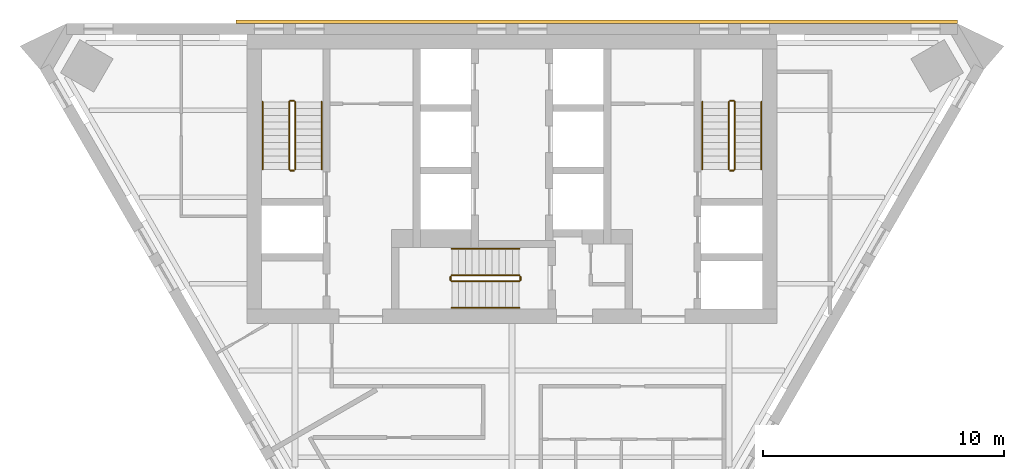
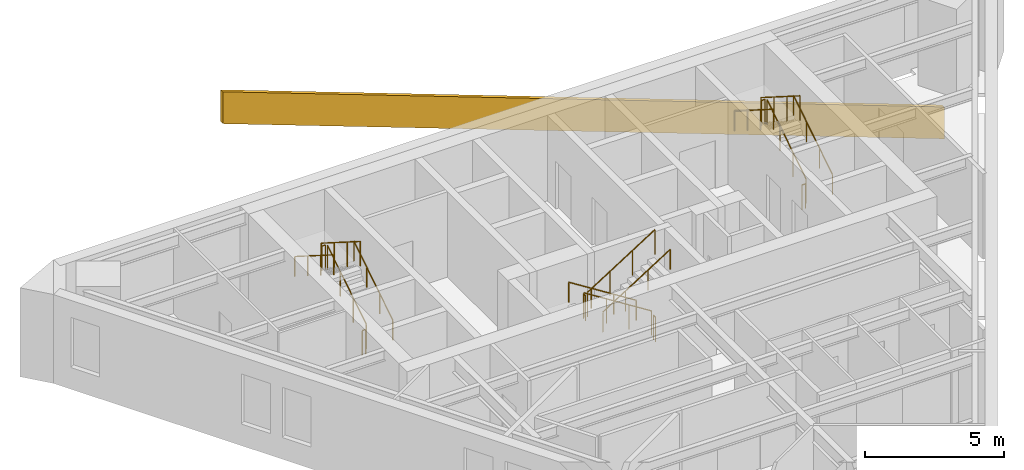
# One storey, part 6 of 6: 18 railings, 1 covering.
"""IFC4 building model written with IfcOpenShell, lengths in metres."""

from ifc_helpers import new_model, si_unit, direction, frame, origin, origin_2d, place, context, subcontext, project, spatial, polyline, circle, outline, extrude, material, layer, layer_set, type_object, element, save


model = new_model("IFC4")

# Units and contexts
model_context = context("Model", 3, precision=1e-05, world=origin(), true_north=direction((0.0, 1.0)))
body_context = subcontext(model_context, "Body", "Model", "MODEL_VIEW")
ifc_project = project(units=[si_unit("LENGTHUNIT", "METRE"), si_unit("AREAUNIT", "SQUARE_METRE"), si_unit("VOLUMEUNIT", "CUBIC_METRE"), si_unit("PLANEANGLEUNIT", "RADIAN"), si_unit("MASSUNIT", "GRAM", prefix="KILO")], contexts=[model_context])

# Site, building, storey
site_placement = place(None, origin())
site = spatial("IfcSite", under=ifc_project, at=site_placement, CompositionType="ELEMENT")
building_placement = place(site_placement, origin())
building = spatial("IfcBuilding", under=site, at=building_placement, Name="Aloe Facet Convention Tower", CompositionType="ELEMENT")
storey_placement = place(building_placement, frame((0.0, 0.0, 242.60009765625)))
storey = spatial("IfcBuildingStorey", under=building, at=storey_placement, Name="L59", CompositionType="ELEMENT", Elevation=242.60009765625)

# Railings
ifc_material_1 = material(Name="Steel S355 balustrade", Category="steel")
railing_type_1 = type_object("IfcRailingType", Name="CR-RL-GUARD", PredefinedType="GUARDRAIL", material=ifc_material_1)
railing_1_placement = place(storey_placement, frame((71.0, 128.949951171875, 0.17724609375)))
element("IfcRailing", 1, at=railing_1_placement, inside=storey, type_object=railing_type_1, Name="L59 ST1 stair guard 1", PredefinedType="GUARDRAIL", context=body_context, shape_type="SweptSolid", body=[
    extrude(circle(Radius=0.02392578125, at=origin_2d()), frame((0.0, 0.0, 1.076171875), z_axis=(0.0, 0.844908973607, 0.534910110503), x_axis=(-1.0, 0.0, 0.0)), (0.0, 0.0, 1.0), 3.31396484375),
    extrude(circle(Radius=0.02099609375, at=origin_2d()), origin(), (0.0, 0.0, 1.0), 1.052001953125),
    extrude(circle(Radius=0.02099609375, at=origin_2d()), frame((0.0, 0.933349609375, 0.5908203125)), (0.0, 0.0, 1.0), 1.052001953125),
    extrude(circle(Radius=0.02099609375, at=origin_2d()), frame((0.0, 1.86669921875, 1.181884765625)), (0.0, 0.0, 1.0), 1.052001953125),
    extrude(circle(Radius=0.02099609375, at=origin_2d()), frame((0.0, 2.800048828125, 1.772705078125)), (0.0, 0.0, 1.0), 1.052001953125),
])
railing_2_placement = place(storey_placement, frame((70.949951171875, 131.800048828125, 1.949951171875)))
element("IfcRailing", 2, at=railing_2_placement, inside=storey, type_object=railing_type_1, Name="L59 ST1 stair guard 2", PredefinedType="GUARDRAIL", context=body_context, shape_type="SweptSolid", body=[
    extrude(circle(Radius=0.02392578125, at=origin_2d()), frame((0.0, 0.0, 1.076171875), z_axis=(-1.0, 0.0, 0.0), x_axis=(0.0, -1.0, 0.0)), (0.0, 0.0, 1.0), 0.14990234375),
    extrude(circle(Radius=0.02099609375, at=origin_2d()), origin(), (0.0, 0.0, 1.0), 1.052001953125),
    extrude(circle(Radius=0.02099609375, at=origin_2d()), frame((-0.14990234375, 0.0, 0.0)), (0.0, 0.0, 1.0), 1.052001953125),
])
railing_3_placement = place(storey_placement, frame((70.75, 131.75, 2.127197265625)))
element("IfcRailing", 3, at=railing_3_placement, inside=storey, type_object=railing_type_1, Name="L59 ST1 stair guard 3", PredefinedType="GUARDRAIL", context=body_context, shape_type="SweptSolid", body=[
    extrude(circle(Radius=0.02392578125, at=origin_2d()), frame((0.0, 0.0, 1.076171875), z_axis=(0.0, -0.844908973607, 0.534910110503), x_axis=(1.0, 0.0, 0.0)), (0.0, 0.0, 1.0), 3.31396484375),
    extrude(circle(Radius=0.02099609375, at=origin_2d()), origin(), (0.0, 0.0, 1.0), 1.052001953125),
    extrude(circle(Radius=0.02099609375, at=origin_2d()), frame((0.0, -0.933349609375, 0.5908203125)), (0.0, 0.0, 1.0), 1.052001953125),
    extrude(circle(Radius=0.02099609375, at=origin_2d()), frame((0.0, -1.86669921875, 1.181884765625)), (0.0, 0.0, 1.0), 1.052001953125),
    extrude(circle(Radius=0.02099609375, at=origin_2d()), frame((0.0, -2.800048828125, 1.772705078125)), (0.0, 0.0, 1.0), 1.052001953125),
])
railing_4_placement = place(storey_placement, frame((70.949951171875, 128.89990234375, 0.0)))
element("IfcRailing", 4, at=railing_4_placement, inside=storey, type_object=railing_type_1, Name="L59 ST1 stair guard 4", PredefinedType="GUARDRAIL", context=body_context, shape_type="SweptSolid", body=[
    extrude(circle(Radius=0.02392578125, at=origin_2d()), frame((0.0, 0.0, 1.076171875), z_axis=(-1.0, 0.0, 0.0), x_axis=(0.0, -1.0, 0.0)), (0.0, 0.0, 1.0), 0.14990234375),
    extrude(circle(Radius=0.02099609375, at=origin_2d()), origin(), (0.0, 0.0, 1.0), 1.052001953125),
    extrude(circle(Radius=0.02099609375, at=origin_2d()), frame((-0.14990234375, 0.0, 0.0)), (0.0, 0.0, 1.0), 1.052001953125),
])
railing_5_placement = place(storey_placement, frame((89.25, 128.949951171875, 0.17724609375)))
element("IfcRailing", 5, at=railing_5_placement, inside=storey, type_object=railing_type_1, Name="L59 ST2 stair guard 1", PredefinedType="GUARDRAIL", context=body_context, shape_type="SweptSolid", body=[
    extrude(circle(Radius=0.02392578125, at=origin_2d()), frame((0.0, 0.0, 1.076171875), z_axis=(0.0, 0.844908973607, 0.534910110503), x_axis=(-1.0, 0.0, 0.0)), (0.0, 0.0, 1.0), 3.31396484375),
    extrude(circle(Radius=0.02099609375, at=origin_2d()), origin(), (0.0, 0.0, 1.0), 1.052001953125),
    extrude(circle(Radius=0.02099609375, at=origin_2d()), frame((0.0, 0.933349609375, 0.5908203125)), (0.0, 0.0, 1.0), 1.052001953125),
    extrude(circle(Radius=0.02099609375, at=origin_2d()), frame((0.0, 1.86669921875, 1.181884765625)), (0.0, 0.0, 1.0), 1.052001953125),
    extrude(circle(Radius=0.02099609375, at=origin_2d()), frame((0.0, 2.800048828125, 1.772705078125)), (0.0, 0.0, 1.0), 1.052001953125),
])
railing_6_placement = place(storey_placement, frame((89.199951171875, 131.800048828125, 1.949951171875)))
element("IfcRailing", 6, at=railing_6_placement, inside=storey, type_object=railing_type_1, Name="L59 ST2 stair guard 2", PredefinedType="GUARDRAIL", context=body_context, shape_type="SweptSolid", body=[
    extrude(circle(Radius=0.02392578125, at=origin_2d()), frame((0.0, 0.0, 1.076171875), z_axis=(-1.0, 0.0, 0.0), x_axis=(0.0, -1.0, 0.0)), (0.0, 0.0, 1.0), 0.14990234375),
    extrude(circle(Radius=0.02099609375, at=origin_2d()), origin(), (0.0, 0.0, 1.0), 1.052001953125),
    extrude(circle(Radius=0.02099609375, at=origin_2d()), frame((-0.14990234375, 0.0, 0.0)), (0.0, 0.0, 1.0), 1.052001953125),
])
railing_7_placement = place(storey_placement, frame((89.0, 131.75, 2.127197265625)))
element("IfcRailing", 7, at=railing_7_placement, inside=storey, type_object=railing_type_1, Name="L59 ST2 stair guard 3", PredefinedType="GUARDRAIL", context=body_context, shape_type="SweptSolid", body=[
    extrude(circle(Radius=0.02392578125, at=origin_2d()), frame((0.0, 0.0, 1.076171875), z_axis=(0.0, -0.844908973607, 0.534910110503), x_axis=(1.0, 0.0, 0.0)), (0.0, 0.0, 1.0), 3.31396484375),
    extrude(circle(Radius=0.02099609375, at=origin_2d()), origin(), (0.0, 0.0, 1.0), 1.052001953125),
    extrude(circle(Radius=0.02099609375, at=origin_2d()), frame((0.0, -0.933349609375, 0.5908203125)), (0.0, 0.0, 1.0), 1.052001953125),
    extrude(circle(Radius=0.02099609375, at=origin_2d()), frame((0.0, -1.86669921875, 1.181884765625)), (0.0, 0.0, 1.0), 1.052001953125),
    extrude(circle(Radius=0.02099609375, at=origin_2d()), frame((0.0, -2.800048828125, 1.772705078125)), (0.0, 0.0, 1.0), 1.052001953125),
])
railing_8_placement = place(storey_placement, frame((89.199951171875, 128.89990234375, 0.0)))
element("IfcRailing", 8, at=railing_8_placement, inside=storey, type_object=railing_type_1, Name="L59 ST2 stair guard 4", PredefinedType="GUARDRAIL", context=body_context, shape_type="SweptSolid", body=[
    extrude(circle(Radius=0.02392578125, at=origin_2d()), frame((0.0, 0.0, 1.076171875), z_axis=(-1.0, 0.0, 0.0), x_axis=(0.0, -1.0, 0.0)), (0.0, 0.0, 1.0), 0.14990234375),
    extrude(circle(Radius=0.02099609375, at=origin_2d()), origin(), (0.0, 0.0, 1.0), 1.052001953125),
    extrude(circle(Radius=0.02099609375, at=origin_2d()), frame((-0.14990234375, 0.0, 0.0)), (0.0, 0.0, 1.0), 1.052001953125),
])
railing_9_placement = place(storey_placement, frame((80.300048828125, 124.550048828125, 0.17724609375)))
element("IfcRailing", 9, at=railing_9_placement, inside=storey, type_object=railing_type_1, Name="L59 ST3 stair guard 1", PredefinedType="GUARDRAIL", context=body_context, shape_type="SweptSolid", body=[
    extrude(circle(Radius=0.02392578125, at=origin_2d()), frame((0.0, 0.0, 1.076171875), z_axis=(-0.844908973607, 0.0, 0.534910110503), x_axis=(0.0, -1.0, 0.0)), (0.0, 0.0, 1.0), 3.31396484375),
    extrude(circle(Radius=0.02099609375, at=origin_2d()), origin(), (0.0, 0.0, 1.0), 1.052001953125),
    extrude(circle(Radius=0.02099609375, at=origin_2d()), frame((-0.933349609375, 0.0, 0.5908203125)), (0.0, 0.0, 1.0), 1.052001953125),
    extrude(circle(Radius=0.02099609375, at=origin_2d()), frame((-1.86669921875, 0.0, 1.181884765625)), (0.0, 0.0, 1.0), 1.052001953125),
    extrude(circle(Radius=0.02099609375, at=origin_2d()), frame((-2.800048828125, 0.0, 1.772705078125)), (0.0, 0.0, 1.0), 1.052001953125),
])
railing_10_placement = place(storey_placement, frame((77.449951171875, 124.5, 1.949951171875)))
element("IfcRailing", 10, at=railing_10_placement, inside=storey, type_object=railing_type_1, Name="L59 ST3 stair guard 2", PredefinedType="GUARDRAIL", context=body_context, shape_type="SweptSolid", body=[
    extrude(circle(Radius=0.02392578125, at=origin_2d()), frame((0.0, 0.0, 1.076171875), z_axis=(0.0, -1.0, 0.0), x_axis=(1.0, 0.0, 0.0)), (0.0, 0.0, 1.0), 0.14990234375),
    extrude(circle(Radius=0.02099609375, at=origin_2d()), origin(), (0.0, 0.0, 1.0), 1.052001953125),
    extrude(circle(Radius=0.02099609375, at=origin_2d()), frame((0.0, -0.14990234375, 0.0)), (0.0, 0.0, 1.0), 1.052001953125),
])
railing_11_placement = place(storey_placement, frame((77.5, 124.300048828125, 2.127197265625)))
element("IfcRailing", 11, at=railing_11_placement, inside=storey, type_object=railing_type_1, Name="L59 ST3 stair guard 3", PredefinedType="GUARDRAIL", context=body_context, shape_type="SweptSolid", body=[
    extrude(circle(Radius=0.02392578125, at=origin_2d()), frame((0.0, 0.0, 1.076171875), z_axis=(0.844908973607, 0.0, 0.534910110503), x_axis=(0.0, 1.0, 0.0)), (0.0, 0.0, 1.0), 3.31396484375),
    extrude(circle(Radius=0.02099609375, at=origin_2d()), origin(), (0.0, 0.0, 1.0), 1.052001953125),
    extrude(circle(Radius=0.02099609375, at=origin_2d()), frame((0.933349609375, 0.0, 0.5908203125)), (0.0, 0.0, 1.0), 1.052001953125),
    extrude(circle(Radius=0.02099609375, at=origin_2d()), frame((1.86669921875, 0.0, 1.181884765625)), (0.0, 0.0, 1.0), 1.052001953125),
    extrude(circle(Radius=0.02099609375, at=origin_2d()), frame((2.800048828125, 0.0, 1.772705078125)), (0.0, 0.0, 1.0), 1.052001953125),
])
railing_12_placement = place(storey_placement, frame((80.35009765625, 124.5, 0.0)))
element("IfcRailing", 12, at=railing_12_placement, inside=storey, type_object=railing_type_1, Name="L59 ST3 stair guard 4", PredefinedType="GUARDRAIL", context=body_context, shape_type="SweptSolid", body=[
    extrude(circle(Radius=0.02392578125, at=origin_2d()), frame((0.0, 0.0, 1.076171875), z_axis=(0.0, -1.0, 0.0), x_axis=(1.0, 0.0, 0.0)), (0.0, 0.0, 1.0), 0.14990234375),
    extrude(circle(Radius=0.02099609375, at=origin_2d()), origin(), (0.0, 0.0, 1.0), 1.052001953125),
    extrude(circle(Radius=0.02099609375, at=origin_2d()), frame((0.0, -0.14990234375, 0.0)), (0.0, 0.0, 1.0), 1.052001953125),
])
ifc_material_2 = material(Name="Steel S355 handrail", Category="steel")
railing_type_2 = type_object("IfcRailingType", Name="CR-RL-HAND", PredefinedType="HANDRAIL", material=ifc_material_2)
railing_13_placement = place(storey_placement, frame((72.10009765625, 128.949951171875, 0.17724609375)))
element("IfcRailing", 13, at=railing_13_placement, inside=storey, type_object=railing_type_2, Name="L59 ST1 stair handrail 1", PredefinedType="HANDRAIL", context=body_context, shape_type="SweptSolid", body=[
    extrude(circle(Radius=0.02392578125, at=origin_2d()), frame((0.0, 0.0, 0.8759765625), z_axis=(0.0, 0.844908973607, 0.534910110503), x_axis=(-1.0, 0.0, 0.0)), (0.0, 0.0, 1.0), 3.31396484375),
    extrude(circle(Radius=0.02099609375, at=origin_2d()), origin(), (0.0, 0.0, 1.0), 0.851806640625),
    extrude(circle(Radius=0.02099609375, at=origin_2d()), frame((0.0, 0.933349609375, 0.5908203125)), (0.0, 0.0, 1.0), 0.851806640625),
    extrude(circle(Radius=0.02099609375, at=origin_2d()), frame((0.0, 1.86669921875, 1.181884765625)), (0.0, 0.0, 1.0), 0.851806640625),
    extrude(circle(Radius=0.02099609375, at=origin_2d()), frame((0.0, 2.800048828125, 1.772705078125)), (0.0, 0.0, 1.0), 0.851806640625),
])
railing_14_placement = place(storey_placement, frame((69.64990234375, 131.75, 2.127197265625)))
element("IfcRailing", 14, at=railing_14_placement, inside=storey, type_object=railing_type_2, Name="L59 ST1 stair handrail 2", PredefinedType="HANDRAIL", context=body_context, shape_type="SweptSolid", body=[
    extrude(circle(Radius=0.02392578125, at=origin_2d()), frame((0.0, 0.0, 0.8759765625), z_axis=(0.0, -0.844908973607, 0.534910110503), x_axis=(1.0, 0.0, 0.0)), (0.0, 0.0, 1.0), 3.31396484375),
    extrude(circle(Radius=0.02099609375, at=origin_2d()), origin(), (0.0, 0.0, 1.0), 0.851806640625),
    extrude(circle(Radius=0.02099609375, at=origin_2d()), frame((0.0, -0.933349609375, 0.5908203125)), (0.0, 0.0, 1.0), 0.851806640625),
    extrude(circle(Radius=0.02099609375, at=origin_2d()), frame((0.0, -1.86669921875, 1.181884765625)), (0.0, 0.0, 1.0), 0.851806640625),
    extrude(circle(Radius=0.02099609375, at=origin_2d()), frame((0.0, -2.800048828125, 1.772705078125)), (0.0, 0.0, 1.0), 0.851806640625),
])
railing_15_placement = place(storey_placement, frame((90.35009765625, 128.949951171875, 0.17724609375)))
element("IfcRailing", 15, at=railing_15_placement, inside=storey, type_object=railing_type_2, Name="L59 ST2 stair handrail 1", PredefinedType="HANDRAIL", context=body_context, shape_type="SweptSolid", body=[
    extrude(circle(Radius=0.02392578125, at=origin_2d()), frame((0.0, 0.0, 0.8759765625), z_axis=(0.0, 0.844908973607, 0.534910110503), x_axis=(-1.0, 0.0, 0.0)), (0.0, 0.0, 1.0), 3.31396484375),
    extrude(circle(Radius=0.02099609375, at=origin_2d()), origin(), (0.0, 0.0, 1.0), 0.851806640625),
    extrude(circle(Radius=0.02099609375, at=origin_2d()), frame((0.0, 0.933349609375, 0.5908203125)), (0.0, 0.0, 1.0), 0.851806640625),
    extrude(circle(Radius=0.02099609375, at=origin_2d()), frame((0.0, 1.86669921875, 1.181884765625)), (0.0, 0.0, 1.0), 0.851806640625),
    extrude(circle(Radius=0.02099609375, at=origin_2d()), frame((0.0, 2.800048828125, 1.772705078125)), (0.0, 0.0, 1.0), 0.851806640625),
])
railing_16_placement = place(storey_placement, frame((87.89990234375, 131.75, 2.127197265625)))
element("IfcRailing", 16, at=railing_16_placement, inside=storey, type_object=railing_type_2, Name="L59 ST2 stair handrail 2", PredefinedType="HANDRAIL", context=body_context, shape_type="SweptSolid", body=[
    extrude(circle(Radius=0.02392578125, at=origin_2d()), frame((0.0, 0.0, 0.8759765625), z_axis=(0.0, -0.844908973607, 0.534910110503), x_axis=(1.0, 0.0, 0.0)), (0.0, 0.0, 1.0), 3.31396484375),
    extrude(circle(Radius=0.02099609375, at=origin_2d()), origin(), (0.0, 0.0, 1.0), 0.851806640625),
    extrude(circle(Radius=0.02099609375, at=origin_2d()), frame((0.0, -0.933349609375, 0.5908203125)), (0.0, 0.0, 1.0), 0.851806640625),
    extrude(circle(Radius=0.02099609375, at=origin_2d()), frame((0.0, -1.86669921875, 1.181884765625)), (0.0, 0.0, 1.0), 0.851806640625),
    extrude(circle(Radius=0.02099609375, at=origin_2d()), frame((0.0, -2.800048828125, 1.772705078125)), (0.0, 0.0, 1.0), 0.851806640625),
])
railing_17_placement = place(storey_placement, frame((80.300048828125, 125.64990234375, 0.17724609375)))
element("IfcRailing", 17, at=railing_17_placement, inside=storey, type_object=railing_type_2, Name="L59 ST3 stair handrail 1", PredefinedType="HANDRAIL", context=body_context, shape_type="SweptSolid", body=[
    extrude(circle(Radius=0.02392578125, at=origin_2d()), frame((0.0, 0.0, 0.8759765625), z_axis=(-0.844908973607, 0.0, 0.534910110503), x_axis=(0.0, -1.0, 0.0)), (0.0, 0.0, 1.0), 3.31396484375),
    extrude(circle(Radius=0.02099609375, at=origin_2d()), origin(), (0.0, 0.0, 1.0), 0.851806640625),
    extrude(circle(Radius=0.02099609375, at=origin_2d()), frame((-0.933349609375, 0.0, 0.5908203125)), (0.0, 0.0, 1.0), 0.851806640625),
    extrude(circle(Radius=0.02099609375, at=origin_2d()), frame((-1.86669921875, 0.0, 1.181884765625)), (0.0, 0.0, 1.0), 0.851806640625),
    extrude(circle(Radius=0.02099609375, at=origin_2d()), frame((-2.800048828125, 0.0, 1.772705078125)), (0.0, 0.0, 1.0), 0.851806640625),
])
railing_18_placement = place(storey_placement, frame((77.5, 123.199951171875, 2.127197265625)))
element("IfcRailing", 18, at=railing_18_placement, inside=storey, type_object=railing_type_2, Name="L59 ST3 stair handrail 2", PredefinedType="HANDRAIL", context=body_context, shape_type="SweptSolid", body=[
    extrude(circle(Radius=0.02392578125, at=origin_2d()), frame((0.0, 0.0, 0.8759765625), z_axis=(0.844908973607, 0.0, 0.534910110503), x_axis=(0.0, 1.0, 0.0)), (0.0, 0.0, 1.0), 3.31396484375),
    extrude(circle(Radius=0.02099609375, at=origin_2d()), origin(), (0.0, 0.0, 1.0), 0.851806640625),
    extrude(circle(Radius=0.02099609375, at=origin_2d()), frame((0.933349609375, 0.0, 0.5908203125)), (0.0, 0.0, 1.0), 0.851806640625),
    extrude(circle(Radius=0.02099609375, at=origin_2d()), frame((1.86669921875, 0.0, 1.181884765625)), (0.0, 0.0, 1.0), 0.851806640625),
    extrude(circle(Radius=0.02099609375, at=origin_2d()), frame((2.800048828125, 0.0, 1.772705078125)), (0.0, 0.0, 1.0), 0.851806640625),
])

# Covering
ifc_material_3 = material(Name="Bronze oxide fascia sheet")
ifc_layer = layer(ifc_material_3, 0.14990234375)
ifc_layer_set = layer_set([ifc_layer], Name="EV-FASCIA-TERR")
covering_type = type_object("IfcCoveringType", Name="EV-FASCIA-TERR", PredefinedType="CLADDING", material=ifc_layer_set)
covering_placement = place(storey_placement, frame((98.486083984375, 135.14990234375, -3.900146484375), z_axis=(0.0, 1.0, 0.0), x_axis=(-0.937163482326, 0.0, 0.348890537841)))
element("IfcCovering", 19, at=covering_placement, inside=storey, type_object=covering_type, Name="Spiral ribbon zone 5 part 1", PredefinedType="CLADDING", context=body_context, shape_type="SweptSolid", body=[
    extrude(outline(polyline([(0.0, 0.0), (31.95886753869645, 0.0), (32.4472802203327, 1.3119373553846359), (0.48849785999021367, 1.3121661550629378), (0.0, 0.0)])), origin(), (0.0, 0.0, -1.0), 0.14990234375),
])

save(model, "model.ifc")
